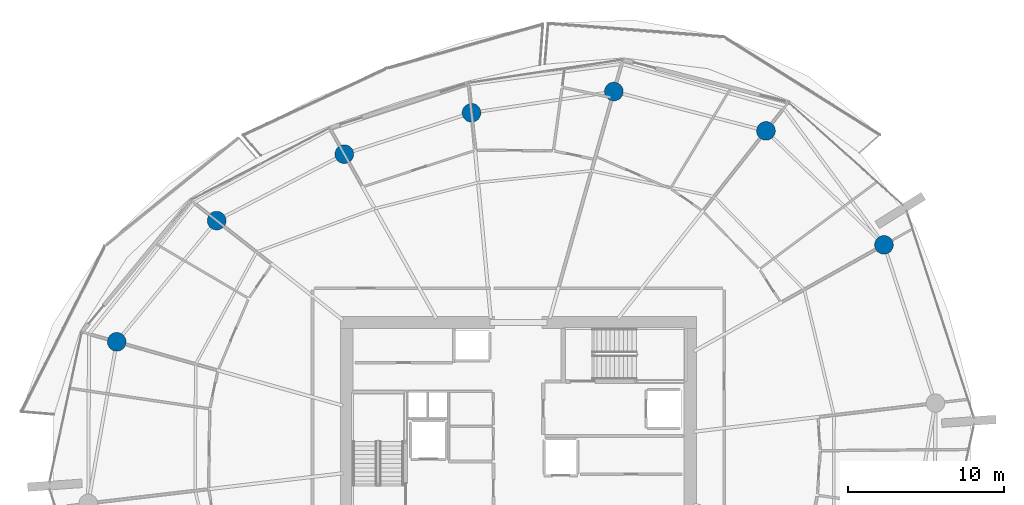
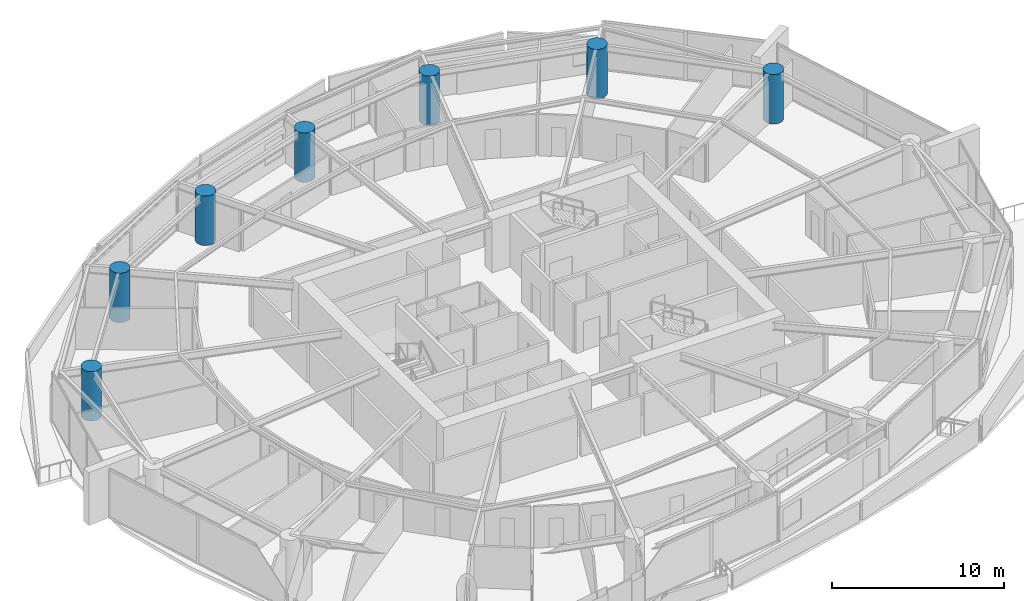
# One storey, part 4 of 22: 7 columns.
"""IFC4 building model written with IfcOpenShell, lengths in metres."""

from ifc_helpers import new_model, si_unit, direction, frame, origin, origin_2d, place, context, subcontext, project, spatial, circle, extrude, material, material_profile, profile_set, type_object, element, save


model = new_model("IFC4")

# Units and contexts
model_context = context("Model", 3, precision=1e-05, world=origin(), true_north=direction((0.0, 1.0)))
body_context = subcontext(model_context, "Body", "Model", "MODEL_VIEW")
ifc_project = project(units=[si_unit("LENGTHUNIT", "METRE"), si_unit("AREAUNIT", "SQUARE_METRE"), si_unit("VOLUMEUNIT", "CUBIC_METRE"), si_unit("PLANEANGLEUNIT", "RADIAN"), si_unit("MASSUNIT", "GRAM", prefix="KILO")], contexts=[model_context])

# Site, building, storey
site_placement = place(None, origin())
site = spatial("IfcSite", under=ifc_project, at=site_placement, CompositionType="ELEMENT")
building_placement = place(site_placement, origin())
building = spatial("IfcBuilding", under=site, at=building_placement, Name="Kazma Halo Residences", CompositionType="ELEMENT")
storey_placement = place(building_placement, frame((0.0, 0.0, 93.89990234375)))
storey = spatial("IfcBuildingStorey", under=building, at=storey_placement, Name="L23", CompositionType="ELEMENT", Elevation=93.89990234375)

# Columns
ifc_material = material(Name="Concrete C80/95", Category="concrete")
ifc_material_profile = material_profile(ifc_material, circle(Radius=0.60009765625, at=origin_2d()), Name="CIRC1200")
ifc_profile_set = profile_set([ifc_material_profile], Name="Concrete C80/95")
column_type = type_object("IfcColumnType", Name="COL-PERIM-1200", PredefinedType="COLUMN", material=ifc_profile_set)
for number, where, z_axis, x_axis, name in (
    (1, (71.9033203125, 55.386474609375, 0.0), (0.0, 0.0, 1.0), (1.0, 0.0, 0.0), "L23 perimeter ring column P01"),
    (2, (64.323486328125, 62.706298828125, 0.0), (0.0, 0.0, 1.0), (1.0, 0.0, 0.0), "L23 perimeter ring column P02"),
    (3, (54.552734375, 65.234130859375, 0.0), (0.0, 0.0, 1.0), (1.0, 0.0, 0.0), "L23 perimeter ring column P03"),
    (4, (45.41162109375, 63.869140625, 0.0), (0.0, 0.0, 1.0), (1.0, 0.0, 0.0), "L23 perimeter ring column P04"),
    (5, (37.23974609375, 61.2138671875, 0.0), (0.0, 0.0, 1.0), (1.0, 0.0, 0.0), "L23 perimeter ring column P05"),
    (6, (29.0419921875, 56.9453125, 0.0), (0.0, 0.0, 1.0), (1.0, 0.0, 0.0), "L23 perimeter ring column P06"),
    (7, (22.623291015625, 49.156982421875, 0.0), (0.0, 0.0, 1.0), (1.0, 0.0, 0.0), "L23 perimeter ring column P07"),
):
    element("IfcColumn", number, at=place(storey_placement, frame(where, z_axis=z_axis, x_axis=x_axis)), inside=storey, type_object=column_type, Name=name, PredefinedType="COLUMN", context=body_context, shape_type="SweptSolid", body=[
        extrude(circle(Radius=0.60009765625, at=origin_2d()), origin(), (0.0, 0.0, 1.0), 3.5),
    ])

save(model, "model.ifc")
